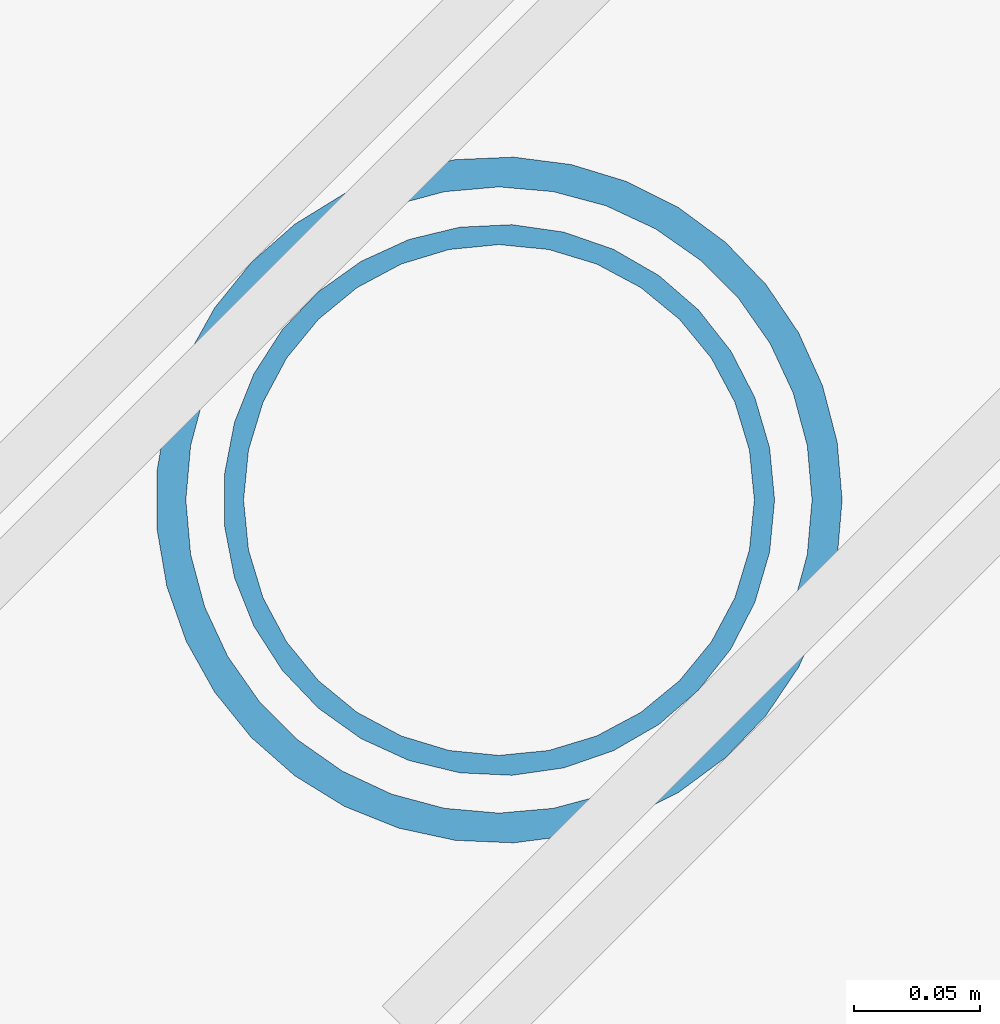
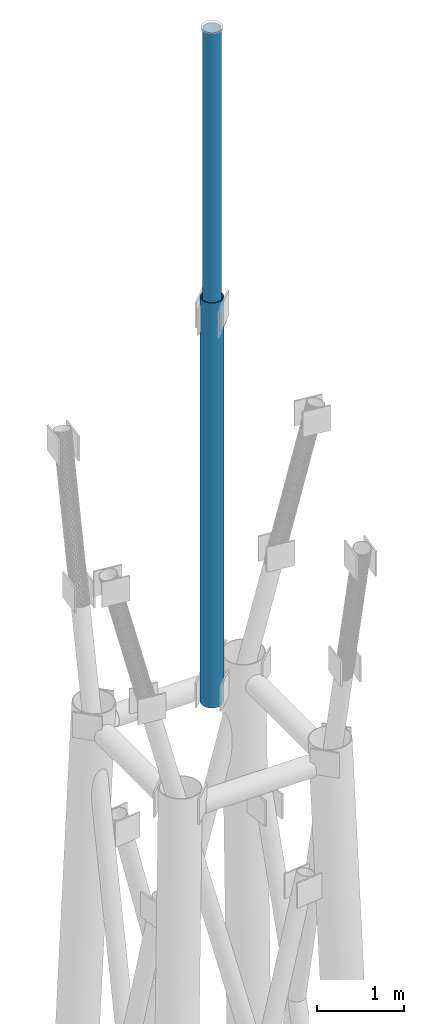
# One storey, part 2 of 25: 2 members.
"""IFC4 building model written with IfcOpenShell, lengths in metres."""

from ifc_helpers import new_model, si_unit, direction, frame, origin, origin_2d, place, context, subcontext, project, spatial, hollow_circle, extrude, material, material_profile, profile_set, type_object, element, save


model = new_model("IFC4")

# Units and contexts
model_context = context("Model", 3, precision=1e-05, world=origin(), true_north=direction((0.0, 1.0)))
body_context = subcontext(model_context, "Body", "Model", "MODEL_VIEW")
ifc_project = project(units=[si_unit("LENGTHUNIT", "METRE"), si_unit("AREAUNIT", "SQUARE_METRE"), si_unit("VOLUMEUNIT", "CUBIC_METRE"), si_unit("PLANEANGLEUNIT", "RADIAN"), si_unit("MASSUNIT", "GRAM", prefix="KILO")], contexts=[model_context])

# Site, building, storey
site_placement = place(None, origin())
site = spatial("IfcSite", under=ifc_project, at=site_placement, CompositionType="ELEMENT")
building_placement = place(site_placement, origin())
building = spatial("IfcBuilding", under=site, at=building_placement, Name="Vidyagriha Tower", CompositionType="ELEMENT")
storey_placement = place(building_placement, frame((0.0, 0.0, 318.39990234375)))
storey = spatial("IfcBuildingStorey", under=building, at=storey_placement, Name="RF", CompositionType="ELEMENT", Elevation=318.39990234375)

# Members
ifc_material_1 = material(Name="Steel ASTM A500 Grade C", Category="steel")
ifc_material_profile_1 = material_profile(ifc_material_1, hollow_circle(Radius=0.109619140625, WallThickness=0.008056640625, at=origin_2d()), Name="Broadcast mast spire CHS 219x8 SPIRE")
ifc_profile_set_1 = profile_set([ifc_material_profile_1], Name="Steel ASTM A500 Grade C")
member_type_1 = type_object("IfcMemberType", Name="Broadcast mast spire CHS 219x8 SPIRE", PredefinedType="USERDEFINED", material=ifc_profile_set_1)
member_1_placement = place(storey_placement, frame((0.0, 13.0, 55.772216796875)))
element("IfcMember", 1, at=member_1_placement, inside=storey, type_object=member_type_1, Name="Broadcast mast spire 2 SPIRE", ObjectType="SPIRE", PredefinedType="USERDEFINED", context=body_context, shape_type="SweptSolid", body=[
    extrude(hollow_circle(Radius=0.109619140625, WallThickness=0.008056640625, at=origin_2d()), origin(), (0.0, 0.0, 1.0), 4.207763671875),
])
ifc_material_2 = material(Name="Steel ASTM A500 Grade C", Category="steel")
ifc_material_profile_2 = material_profile(ifc_material_2, hollow_circle(Radius=0.136474609375, WallThickness=0.011962890625, at=origin_2d()), Name="Broadcast mast spire CHS 273x12 SPIRE")
ifc_profile_set_2 = profile_set([ifc_material_profile_2], Name="Steel ASTM A500 Grade C")
member_type_2 = type_object("IfcMemberType", Name="Broadcast mast spire CHS 273x12 SPIRE", PredefinedType="USERDEFINED", material=ifc_profile_set_2)
member_2_placement = place(storey_placement, frame((0.0, 13.0, 50.5556640625)))
element("IfcMember", 2, at=member_2_placement, inside=storey, type_object=member_type_2, Name="Broadcast mast spire 1 SPIRE", ObjectType="SPIRE", PredefinedType="USERDEFINED", context=body_context, shape_type="SweptSolid", body=[
    extrude(hollow_circle(Radius=0.136474609375, WallThickness=0.011962890625, at=origin_2d()), origin(), (0.0, 0.0, 1.0), 5.666748046875),
])

save(model, "model.ifc")
